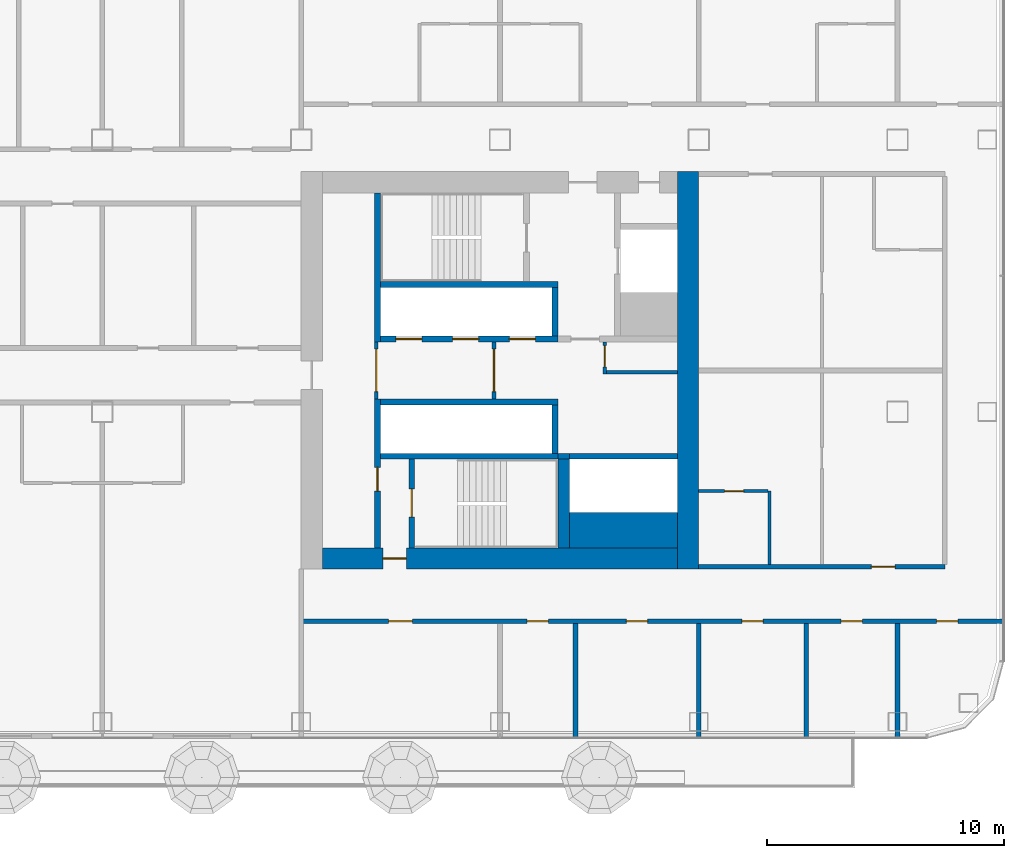
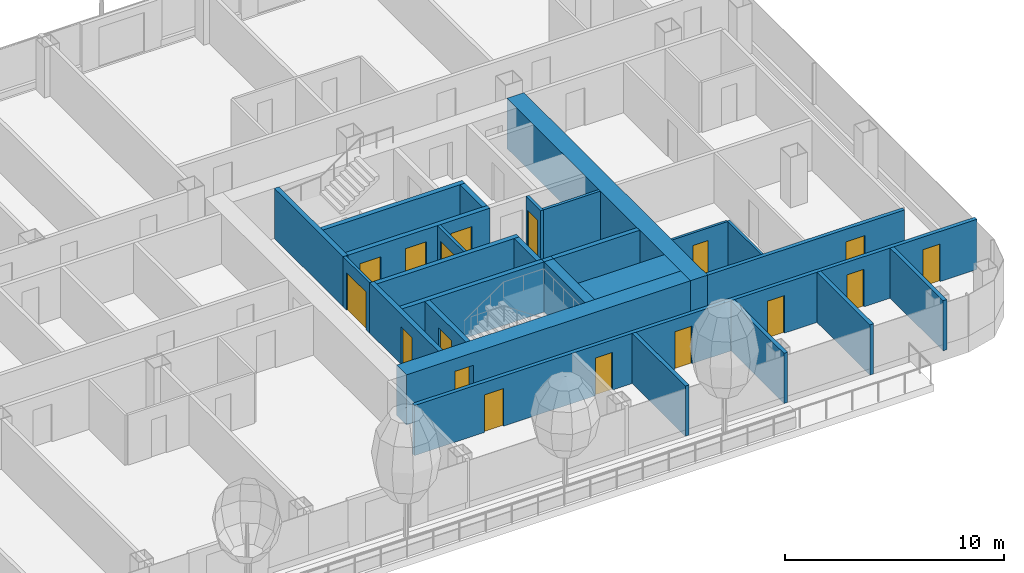
# One storey, part 17 of 34: 27 walls, 17 doors, 17 openings.
"""IFC4 building model written with IfcOpenShell, lengths in metres."""

from ifc_helpers import new_model, si_unit, direction, frame, frame_2d, origin, place, context, subcontext, project, spatial, rectangle, extrude, material, layer, layer_set, type_object, element, fill, save


model = new_model("IFC4")

# Units and contexts
model_context = context("Model", 3, precision=1e-05, world=origin(), true_north=direction((0.0, 1.0)))
body_context = subcontext(model_context, "Body", "Model", "MODEL_VIEW")
ifc_project = project(units=[si_unit("LENGTHUNIT", "METRE"), si_unit("AREAUNIT", "SQUARE_METRE"), si_unit("VOLUMEUNIT", "CUBIC_METRE"), si_unit("PLANEANGLEUNIT", "RADIAN"), si_unit("MASSUNIT", "GRAM", prefix="KILO")], contexts=[model_context])

# Site, building, storey
site_placement = place(None, origin())
site = spatial("IfcSite", under=ifc_project, at=site_placement, CompositionType="ELEMENT")
building_placement = place(site_placement, origin())
building = spatial("IfcBuilding", under=site, at=building_placement, Name="Hakoniwa Tower and Hamabe Station Hall", CompositionType="ELEMENT")
storey_placement = place(building_placement, frame((0.0, 0.0, 107.39990234375)))
storey = spatial("IfcBuildingStorey", under=building, at=storey_placement, Name="L30", CompositionType="ELEMENT", Elevation=107.39990234375)

# Wall, opening, door
ifc_material_1 = material(Name="Gypsum board partition", Category="gypsum")
ifc_layer_1 = layer(ifc_material_1, 0.125)
ifc_layer_set_1 = layer_set([ifc_layer_1], Name="Bathroom Partition 125")
wall_type_1 = type_object("IfcWallType", Name="Bathroom Partition 125", PredefinedType="PARTITIONING", material=ifc_layer_set_1)
wall_1_placement = place(storey_placement, frame((33.60009765625, -5.10009765625, 0.0), z_axis=(0.0, 0.0, 1.0), x_axis=(1.0, 0.0, 0.0)))
wall_1 = element("IfcWall", 1, at=wall_1_placement, inside=storey, type_object=wall_type_1, Name="GW-L30-006", PredefinedType="PARTITIONING", context=body_context, shape_type="SweptSolid", body=[
    extrude(rectangle(XDim=2.9375, YDim=0.125, at=frame_2d((1.46875, 0.0))), origin(), (0.0, 0.0, 1.0), 2.800048828125),
])
opening_1_placement = place(wall_1_placement, frame((1.10009765625, 0.0, 0.0)))
opening_1 = element("IfcOpeningElement", 2, at=opening_1_placement, cuts=wall_1, Name="Opening GD-G2A2-16", PredefinedType="OPENING", context=body_context, shape_type="SweptSolid", body=[
    extrude(rectangle(XDim=0.800048828125, YDim=2.10009765625, at=frame_2d((0.39990234375, 1.050048828125))), frame((0.0, 0.072509765625, 0.0), z_axis=(0.0, -1.0, 0.0), x_axis=(1.0, 0.0, 0.0)), (0.0, 0.0, 1.0), 0.14501953125),
])
ifc_material_2 = material(Name="Timber door leaf", Category="wood")
door_type_1 = type_object("IfcDoorType", Name="Bathroom Door 800", OperationType="SINGLE_SWING_LEFT", PredefinedType="DOOR", material=ifc_material_2)
door_1_placement = place(opening_1_placement, origin())
door_1 = element("IfcDoor", 3, at=door_1_placement, inside=storey, type_object=door_type_1, Name="Door GD-G2A2-16", OperationType="SINGLE_SWING_RIGHT", OverallHeight=2.10009765625, OverallWidth=0.800048828125, PredefinedType="DOOR", context=body_context, shape_type="SweptSolid", body=[
    extrude(rectangle(XDim=0.800048828125, YDim=2.10009765625, at=frame_2d((0.39990234375, 1.050048828125))), frame((0.0, 0.02490234375, 0.0), z_axis=(0.0, -1.0, 0.0), x_axis=(1.0, 0.0, 0.0)), (0.0, 0.0, 1.0), 0.050048828125),
])
fill(opening_1, door_1)

# Wall
wall_2_placement = place(storey_placement, frame((36.60009765625, -8.199951171875, 0.0), z_axis=(0.0, 0.0, 1.0), x_axis=(0.0, 1.0, 0.0)))
element("IfcWall", 4, at=wall_2_placement, inside=storey, type_object=wall_type_1, Name="GW-L30-071", PredefinedType="PARTITIONING", context=body_context, shape_type="SweptSolid", body=[
    extrude(rectangle(XDim=3.099853515625, YDim=0.125, at=frame_2d((1.5498046875, 0.0))), origin(), (0.0, 0.0, 1.0), 2.800048828125),
])

# Wall, opening, door
ifc_material_3 = material(Name="Gypsum board partition")
ifc_layer_2 = layer(ifc_material_3, 0.14990234375)
ifc_layer_set_2 = layer_set([ifc_layer_2], Name="CORE PARTITION 150 EI 60")
wall_type_2 = type_object("IfcWallType", Name="CORE PARTITION 150 EI 60", PredefinedType="PARTITIONING", material=ifc_layer_set_2)
wall_3_placement = place(storey_placement, frame((19.97509765625, -1.199951171875, 0.0), z_axis=(0.0, 0.0, 1.0), x_axis=(0.0, 1.0, 0.0)))
wall_3 = element("IfcWall", 5, at=wall_3_placement, inside=storey, type_object=wall_type_2, Name="Core partition PL0 east", PredefinedType="PARTITIONING", context=body_context, shape_type="SweptSolid", body=[
    extrude(rectangle(XDim=2.39990234375, YDim=0.14990234375, at=frame_2d((1.199951171875, 0.0))), origin(), (0.0, 0.0, 1.0), 2.800048828125),
])
opening_2_placement = place(wall_3_placement, frame((0.300048828125, 0.0, 0.0)))
opening_2 = element("IfcOpeningElement", 6, at=opening_2_placement, cuts=wall_3, Name="Opening CD-E-LP0-18", PredefinedType="OPENING", context=body_context, shape_type="SweptSolid", body=[
    extrude(rectangle(XDim=1.800048828125, YDim=2.10009765625, at=frame_2d((0.89990234375, 1.050048828125))), frame((0.0, 0.0849609375, 0.0), z_axis=(0.0, -1.0, 0.0), x_axis=(1.0, 0.0, 0.0)), (0.0, 0.0, 1.0), 0.169921875),
])
ifc_material_4 = material(Name="Steel fire door", Category="steel")
door_type_2 = type_object("IfcDoorType", Name="CORE DOOR 1800 FD60", OperationType="DOUBLE_DOOR_SINGLE_SWING", PredefinedType="DOOR", material=ifc_material_4)
door_2_placement = place(opening_2_placement, origin())
door_2 = element("IfcDoor", 7, at=door_2_placement, inside=storey, type_object=door_type_2, Name="Lift lobby partition door", OperationType="DOUBLE_DOOR_SINGLE_SWING", OverallHeight=2.10009765625, OverallWidth=1.800048828125, PredefinedType="DOOR", context=body_context, shape_type="SweptSolid", body=[
    extrude(rectangle(XDim=1.800048828125, YDim=2.10009765625, at=frame_2d((0.89990234375, 1.050048828125))), frame((0.0, 0.02490234375, 0.0), z_axis=(0.0, -1.0, 0.0), x_axis=(1.0, 0.0, 0.0)), (0.0, 0.0, 1.0), 0.050048828125),
])
fill(opening_2, door_2)

wall_4_placement = place(storey_placement, frame((24.949951171875, -1.199951171875, 0.0), z_axis=(0.0, 0.0, 1.0), x_axis=(0.0, 1.0, 0.0)))
wall_4 = element("IfcWall", 8, at=wall_4_placement, inside=storey, type_object=wall_type_2, Name="Core partition PL1 east", PredefinedType="PARTITIONING", context=body_context, shape_type="SweptSolid", body=[
    extrude(rectangle(XDim=2.39990234375, YDim=0.14990234375, at=frame_2d((1.199951171875, 0.0))), origin(), (0.0, 0.0, 1.0), 2.800048828125),
])
opening_3_placement = place(wall_4_placement, frame((0.300048828125, 0.0, 0.0)))
opening_3 = element("IfcOpeningElement", 9, at=opening_3_placement, cuts=wall_4, Name="Opening CD-E-LP1-18", PredefinedType="OPENING", context=body_context, shape_type="SweptSolid", body=[
    extrude(rectangle(XDim=1.800048828125, YDim=2.10009765625, at=frame_2d((0.89990234375, 1.050048828125))), frame((0.0, 0.0849609375, 0.0), z_axis=(0.0, -1.0, 0.0), x_axis=(1.0, 0.0, 0.0)), (0.0, 0.0, 1.0), 0.169921875),
])
door_3_placement = place(opening_3_placement, origin())
door_3 = element("IfcDoor", 10, at=door_3_placement, inside=storey, type_object=door_type_2, Name="Lift lobby partition door", OperationType="DOUBLE_DOOR_SINGLE_SWING", OverallHeight=2.10009765625, OverallWidth=1.800048828125, PredefinedType="DOOR", context=body_context, shape_type="SweptSolid", body=[
    extrude(rectangle(XDim=1.800048828125, YDim=2.10009765625, at=frame_2d((0.89990234375, 1.050048828125))), frame((0.0, 0.02490234375, 0.0), z_axis=(0.0, -1.0, 0.0), x_axis=(1.0, 0.0, 0.0)), (0.0, 0.0, 1.0), 0.050048828125),
])
fill(opening_3, door_3)

wall_5_placement = place(storey_placement, frame((29.625, -0.14990234375, 0.0), z_axis=(0.0, 0.0, 1.0), x_axis=(0.0, 1.0, 0.0)))
wall_5 = element("IfcWall", 11, at=wall_5_placement, inside=storey, type_object=wall_type_2, Name="Core partition PW0 east", PredefinedType="PARTITIONING", context=body_context, shape_type="SweptSolid", body=[
    extrude(rectangle(XDim=1.349853515625, YDim=0.14990234375, at=frame_2d((0.6748046875, 0.0))), origin(), (0.0, 0.0, 1.0), 2.800048828125),
])
opening_4_placement = place(wall_5_placement, frame((0.300048828125, 0.0, 0.0)))
opening_4 = element("IfcOpeningElement", 12, at=opening_4_placement, cuts=wall_5, Name="Opening CD-E-RM1-9", PredefinedType="OPENING", context=body_context, shape_type="SweptSolid", body=[
    extrude(rectangle(XDim=0.89990234375, YDim=2.10009765625, at=frame_2d((0.449951171875, 1.050048828125))), frame((0.0, 0.0849609375, 0.0), z_axis=(0.0, -1.0, 0.0), x_axis=(1.0, 0.0, 0.0)), (0.0, 0.0, 1.0), 0.169921875),
])
ifc_material_5 = material(Name="Steel fire door", Category="steel")
door_type_3 = type_object("IfcDoorType", Name="CORE DOOR 900 FD30", OperationType="NOTDEFINED", PredefinedType="DOOR", material=ifc_material_5)
door_4_placement = place(opening_4_placement, origin())
door_4 = element("IfcDoor", 13, at=door_4_placement, inside=storey, type_object=door_type_3, Name="Store room door", OperationType="SINGLE_SWING_RIGHT", OverallHeight=2.10009765625, OverallWidth=0.89990234375, PredefinedType="DOOR", context=body_context, shape_type="SweptSolid", body=[
    extrude(rectangle(XDim=0.89990234375, YDim=2.10009765625, at=frame_2d((0.449951171875, 1.050048828125))), frame((0.0, 0.02490234375, 0.0), z_axis=(0.0, -1.0, 0.0), x_axis=(1.0, 0.0, 0.0)), (0.0, 0.0, 1.0), 0.050048828125),
])
fill(opening_4, door_4)

# Walls
wall_6_placement = place(storey_placement, frame((29.699951171875, -0.074951171875, 0.0), z_axis=(0.0, 0.0, 1.0), x_axis=(1.0, 0.0, 0.0)))
element("IfcWall", 14, at=wall_6_placement, inside=storey, type_object=wall_type_2, Name="Core partition PS east", PredefinedType="PARTITIONING", context=body_context, shape_type="SweptSolid", body=[
    extrude(rectangle(XDim=3.0, YDim=0.14990234375, at=frame_2d((1.5, 0.0))), origin(), (0.0, 0.0, 1.0), 2.800048828125),
])
ifc_material_6 = material(Name="Concrete C72", Category="concrete")
ifc_layer_3 = layer(ifc_material_6, 0.89990234375)
ifc_layer_set_3 = layer_set([ifc_layer_3], Name="CORE WALL 900 C72")
wall_type_3 = type_object("IfcWallType", Name="CORE WALL 900 C72", PredefinedType="SHEAR", material=ifc_layer_set_3)
wall_7_placement = place(storey_placement, frame((33.14990234375, -8.39990234375, 0.0), z_axis=(0.0, 0.0, 1.0), x_axis=(0.0, 1.0, 0.0)))
element("IfcWall", 15, at=wall_7_placement, inside=storey, type_object=wall_type_3, Name="Core wall OUTER east", PredefinedType="SHEAR", context=body_context, shape_type="SweptSolid", body=[
    extrude(rectangle(XDim=16.7998046875, YDim=0.89990234375, at=frame_2d((8.39990234375, 0.0))), origin(), (0.0, 0.0, 1.0), 2.800048828125),
])

# Wall, opening, door
wall_8_placement = place(storey_placement, frame((17.699951171875, -7.949951171875, 0.0), z_axis=(0.0, 0.0, 1.0), x_axis=(1.0, 0.0, 0.0)))
wall_8 = element("IfcWall", 16, at=wall_8_placement, inside=storey, type_object=wall_type_3, Name="Core wall SOUTH east", PredefinedType="SHEAR", context=body_context, shape_type="SweptSolid", body=[
    extrude(rectangle(XDim=15.0, YDim=0.89990234375, at=frame_2d((7.5, 0.0))), origin(), (0.0, 0.0, 1.0), 2.800048828125),
])
opening_5_placement = place(wall_8_placement, frame((2.550048828125, 0.0, 0.0)))
opening_5 = element("IfcOpeningElement", 17, at=opening_5_placement, cuts=wall_8, Name="Opening CD-E-FS3-10", PredefinedType="OPENING", context=body_context, shape_type="SweptSolid", body=[
    extrude(rectangle(XDim=1.0, YDim=2.10009765625, at=frame_2d((0.5, 1.050048828125))), frame((0.0, 0.4599609375, 0.0), z_axis=(0.0, -1.0, 0.0), x_axis=(1.0, 0.0, 0.0)), (0.0, 0.0, 1.0), 0.919921875),
])
ifc_material_7 = material(Name="Steel fire door", Category="steel")
door_type_4 = type_object("IfcDoorType", Name="CORE DOOR 1000 FD60", OperationType="NOTDEFINED", PredefinedType="DOOR", material=ifc_material_7)
door_5_placement = place(opening_5_placement, origin())
door_5 = element("IfcDoor", 18, at=door_5_placement, inside=storey, type_object=door_type_4, Name="Stair vestibule door", OperationType="SINGLE_SWING_LEFT", OverallHeight=2.10009765625, OverallWidth=1.0, PredefinedType="DOOR", context=body_context, shape_type="SweptSolid", body=[
    extrude(rectangle(XDim=1.0, YDim=2.10009765625, at=frame_2d((0.5, 1.050048828125))), frame((0.0, 0.02490234375, 0.0), z_axis=(0.0, -1.0, 0.0), x_axis=(1.0, 0.0, 0.0)), (0.0, 0.0, 1.0), 0.050048828125),
])
fill(opening_5, door_5)

# Walls
ifc_material_8 = material(Name="Concrete C72", Category="concrete")
ifc_layer_4 = layer(ifc_material_8, 1.5)
ifc_layer_set_4 = layer_set([ifc_layer_4], Name="CORE WEB WALL 1500 C72")
wall_type_4 = type_object("IfcWallType", Name="CORE WEB WALL 1500 C72", PredefinedType="SHEAR", material=ifc_layer_set_4)
wall_9_placement = place(storey_placement, frame((28.14990234375, -6.75, 0.0), z_axis=(0.0, 0.0, 1.0), x_axis=(1.0, 0.0, 0.0)))
element("IfcWall", 19, at=wall_9_placement, inside=storey, type_object=wall_type_4, Name="Core wall SER east", PredefinedType="SHEAR", context=body_context, shape_type="SweptSolid", body=[
    extrude(rectangle(XDim=4.550048828125, YDim=1.5, at=frame_2d((2.27490234375, 0.0))), origin(), (0.0, 0.0, 1.0), 2.800048828125),
])
ifc_material_9 = material(Name="Concrete C72", Category="concrete")
ifc_layer_5 = layer(ifc_material_9, 0.25)
ifc_layer_set_5 = layer_set([ifc_layer_5], Name="CORE WEB WALL 250 C72")
wall_type_5 = type_object("IfcWallType", Name="CORE WEB WALL 250 C72", PredefinedType="SHEAR", material=ifc_layer_set_5)
wall_10_placement = place(storey_placement, frame((20.02490234375, 1.199951171875, 0.0), z_axis=(0.0, 0.0, 1.0), x_axis=(0.0, 1.0, 0.0)))
element("IfcWall", 20, at=wall_10_placement, inside=storey, type_object=wall_type_5, Name="Core wall W1N east", PredefinedType="SHEAR", context=body_context, shape_type="SweptSolid", body=[
    extrude(rectangle(XDim=6.300048828125, YDim=0.25, at=frame_2d((3.14990234375, 0.0))), origin(), (0.0, 0.0, 1.0), 2.800048828125),
])

# Wall, opening, door
wall_11_placement = place(storey_placement, frame((20.02490234375, -7.5, 0.0), z_axis=(0.0, 0.0, 1.0), x_axis=(0.0, 1.0, 0.0)))
wall_11 = element("IfcWall", 21, at=wall_11_placement, inside=storey, type_object=wall_type_5, Name="Core wall W1S east", PredefinedType="SHEAR", context=body_context, shape_type="SweptSolid", body=[
    extrude(rectangle(XDim=6.300048828125, YDim=0.25, at=frame_2d((3.14990234375, 0.0))), origin(), (0.0, 0.0, 1.0), 2.800048828125),
])
opening_6_placement = place(wall_11_placement, frame((2.39990234375, 0.0, 0.0)))
opening_6 = element("IfcOpeningElement", 22, at=opening_6_placement, cuts=wall_11, Name="Opening CD-E-VS-10", PredefinedType="OPENING", context=body_context, shape_type="SweptSolid", body=[
    extrude(rectangle(XDim=1.0, YDim=2.10009765625, at=frame_2d((0.5, 1.050048828125))), frame((0.0, 0.135009765625, 0.0), z_axis=(0.0, -1.0, 0.0), x_axis=(1.0, 0.0, 0.0)), (0.0, 0.0, 1.0), 0.27001953125),
])
door_6_placement = place(opening_6_placement, origin())
door_6 = element("IfcDoor", 23, at=door_6_placement, inside=storey, type_object=door_type_4, Name="Stair vestibule door", OperationType="SINGLE_SWING_RIGHT", OverallHeight=2.10009765625, OverallWidth=1.0, PredefinedType="DOOR", context=body_context, shape_type="SweptSolid", body=[
    extrude(rectangle(XDim=1.0, YDim=2.10009765625, at=frame_2d((0.5, 1.050048828125))), frame((0.0, 0.02490234375, 0.0), z_axis=(0.0, -1.0, 0.0), x_axis=(1.0, 0.0, 0.0)), (0.0, 0.0, 1.0), 0.050048828125),
])
fill(opening_6, door_6)

# Wall, openings, doors
wall_12_placement = place(storey_placement, frame((20.14990234375, 1.324951171875, 0.0), z_axis=(0.0, 0.0, 1.0), x_axis=(1.0, 0.0, 0.0)))
wall_12 = element("IfcWall", 24, at=wall_12_placement, inside=storey, type_object=wall_type_5, Name="Core wall NF east", PredefinedType="SHEAR", context=body_context, shape_type="SweptSolid", body=[
    extrude(rectangle(XDim=7.5, YDim=0.25, at=frame_2d((3.75, 0.0))), origin(), (0.0, 0.0, 1.0), 2.800048828125),
])
opening_7_placement = place(wall_12_placement, frame((0.64990234375, 0.0, 0.0)))
opening_7 = element("IfcOpeningElement", 25, at=opening_7_placement, cuts=wall_12, Name="Opening LD-LR4", PredefinedType="OPENING", context=body_context, shape_type="SweptSolid", body=[
    extrude(rectangle(XDim=1.10009765625, YDim=2.10009765625, at=frame_2d((0.550048828125, 1.050048828125))), frame((0.0, 0.135009765625, 0.0), z_axis=(0.0, -1.0, 0.0), x_axis=(1.0, 0.0, 0.0)), (0.0, 0.0, 1.0), 0.27001953125),
])
opening_8_placement = place(wall_12_placement, frame((3.050048828125, 0.0, 0.0)))
opening_8 = element("IfcOpeningElement", 26, at=opening_8_placement, cuts=wall_12, Name="Opening LD-LR5", PredefinedType="OPENING", context=body_context, shape_type="SweptSolid", body=[
    extrude(rectangle(XDim=1.10009765625, YDim=2.10009765625, at=frame_2d((0.550048828125, 1.050048828125))), frame((0.0, 0.135009765625, 0.0), z_axis=(0.0, -1.0, 0.0), x_axis=(1.0, 0.0, 0.0)), (0.0, 0.0, 1.0), 0.27001953125),
])
opening_9_placement = place(wall_12_placement, frame((5.449951171875, 0.0, 0.0)))
opening_9 = element("IfcOpeningElement", 27, at=opening_9_placement, cuts=wall_12, Name="Opening LD-LR6", PredefinedType="OPENING", context=body_context, shape_type="SweptSolid", body=[
    extrude(rectangle(XDim=1.10009765625, YDim=2.10009765625, at=frame_2d((0.550048828125, 1.050048828125))), frame((0.0, 0.135009765625, 0.0), z_axis=(0.0, -1.0, 0.0), x_axis=(1.0, 0.0, 0.0)), (0.0, 0.0, 1.0), 0.27001953125),
])
ifc_material_10 = material(Name="Stainless steel SUS304", Category="steel")
door_type_5 = type_object("IfcDoorType", Name="LIFT LANDING DOOR 1100 FD60", OperationType="DOUBLE_DOOR_SLIDING", PredefinedType="DOOR", material=ifc_material_10)
door_7_placement = place(opening_7_placement, origin())
door_7 = element("IfcDoor", 28, at=door_7_placement, inside=storey, type_object=door_type_5, Name="Lift landing door LR4 L30", OperationType="DOUBLE_DOOR_SLIDING", OverallHeight=2.10009765625, OverallWidth=1.10009765625, PredefinedType="DOOR", context=body_context, shape_type="SweptSolid", body=[
    extrude(rectangle(XDim=1.10009765625, YDim=2.10009765625, at=frame_2d((0.550048828125, 1.050048828125))), frame((0.0, 0.02490234375, 0.0), z_axis=(0.0, -1.0, 0.0), x_axis=(1.0, 0.0, 0.0)), (0.0, 0.0, 1.0), 0.050048828125),
])
fill(opening_7, door_7)
door_8_placement = place(opening_8_placement, origin())
door_8 = element("IfcDoor", 29, at=door_8_placement, inside=storey, type_object=door_type_5, Name="Lift landing door LR5 L30", OperationType="DOUBLE_DOOR_SLIDING", OverallHeight=2.10009765625, OverallWidth=1.10009765625, PredefinedType="DOOR", context=body_context, shape_type="SweptSolid", body=[
    extrude(rectangle(XDim=1.10009765625, YDim=2.10009765625, at=frame_2d((0.550048828125, 1.050048828125))), frame((0.0, 0.02490234375, 0.0), z_axis=(0.0, -1.0, 0.0), x_axis=(1.0, 0.0, 0.0)), (0.0, 0.0, 1.0), 0.050048828125),
])
fill(opening_8, door_8)
door_9_placement = place(opening_9_placement, origin())
door_9 = element("IfcDoor", 30, at=door_9_placement, inside=storey, type_object=door_type_5, Name="Lift landing door LR6 L30", OperationType="DOUBLE_DOOR_SLIDING", OverallHeight=2.10009765625, OverallWidth=1.10009765625, PredefinedType="DOOR", context=body_context, shape_type="SweptSolid", body=[
    extrude(rectangle(XDim=1.10009765625, YDim=2.10009765625, at=frame_2d((0.550048828125, 1.050048828125))), frame((0.0, 0.02490234375, 0.0), z_axis=(0.0, -1.0, 0.0), x_axis=(1.0, 0.0, 0.0)), (0.0, 0.0, 1.0), 0.050048828125),
])
fill(opening_9, door_9)

# Walls
wall_13_placement = place(storey_placement, frame((27.52490234375, 1.449951171875, 0.0), z_axis=(0.0, 0.0, 1.0), x_axis=(0.0, 1.0, 0.0)))
element("IfcWall", 31, at=wall_13_placement, inside=storey, type_object=wall_type_5, Name="Core wall NE east", PredefinedType="SHEAR", context=body_context, shape_type="SweptSolid", body=[
    extrude(rectangle(XDim=2.050048828125, YDim=0.25, at=frame_2d((1.02490234375, 0.0))), origin(), (0.0, 0.0, 1.0), 2.800048828125),
])
for number, where, z_axis, x_axis, name in (
    (32, (20.14990234375, 3.625, 0.0), (0.0, 0.0, 1.0), (1.0, 0.0, 0.0), "Core wall NR east"),
    (33, (20.14990234375, -1.324951171875, 0.0), (0.0, 0.0, 1.0), (1.0, 0.0, 0.0), "Core wall SF east"),
):
    element("IfcWall", number, at=place(storey_placement, frame(where, z_axis=z_axis, x_axis=x_axis)), inside=storey, type_object=wall_type_5, Name=name, PredefinedType="SHEAR", context=body_context, shape_type="SweptSolid", body=[
        extrude(rectangle(XDim=7.5, YDim=0.25, at=frame_2d((3.75, 0.0))), origin(), (0.0, 0.0, 1.0), 2.800048828125),
    ])
wall_14_placement = place(storey_placement, frame((27.52490234375, -3.5, 0.0), z_axis=(0.0, 0.0, 1.0), x_axis=(0.0, 1.0, 0.0)))
element("IfcWall", 34, at=wall_14_placement, inside=storey, type_object=wall_type_5, Name="Core wall SE east", PredefinedType="SHEAR", context=body_context, shape_type="SweptSolid", body=[
    extrude(rectangle(XDim=2.050048828125, YDim=0.25, at=frame_2d((1.02490234375, 0.0))), origin(), (0.0, 0.0, 1.0), 2.800048828125),
])
wall_15_placement = place(storey_placement, frame((20.14990234375, -3.625, 0.0), z_axis=(0.0, 0.0, 1.0), x_axis=(1.0, 0.0, 0.0)))
element("IfcWall", 35, at=wall_15_placement, inside=storey, type_object=wall_type_5, Name="Core wall SR east", PredefinedType="SHEAR", context=body_context, shape_type="SweptSolid", body=[
    extrude(rectangle(XDim=7.5, YDim=0.25, at=frame_2d((3.75, 0.0))), origin(), (0.0, 0.0, 1.0), 2.800048828125),
])

# Wall, opening, door
wall_16_placement = place(storey_placement, frame((21.47509765625, -7.5, 0.0), z_axis=(0.0, 0.0, 1.0), x_axis=(0.0, 1.0, 0.0)))
wall_16 = element("IfcWall", 36, at=wall_16_placement, inside=storey, type_object=wall_type_5, Name="Core wall VE east", PredefinedType="SHEAR", context=body_context, shape_type="SweptSolid", body=[
    extrude(rectangle(XDim=3.75, YDim=0.25, at=frame_2d((1.875, 0.0))), origin(), (0.0, 0.0, 1.0), 2.800048828125),
])
opening_10_placement = place(wall_16_placement, frame((1.300048828125, 0.0, 0.0)))
opening_10 = element("IfcOpeningElement", 37, at=opening_10_placement, cuts=wall_16, Name="Opening CD-E-SS-12", PredefinedType="OPENING", context=body_context, shape_type="SweptSolid", body=[
    extrude(rectangle(XDim=1.199951171875, YDim=2.10009765625, at=frame_2d((0.60009765625, 1.050048828125))), frame((0.0, 0.135009765625, 0.0), z_axis=(0.0, -1.0, 0.0), x_axis=(1.0, 0.0, 0.0)), (0.0, 0.0, 1.0), 0.27001953125),
])
ifc_material_11 = material(Name="Steel fire door", Category="steel")
door_type_6 = type_object("IfcDoorType", Name="CORE DOOR 1200 FD60", OperationType="DOUBLE_DOOR_SINGLE_SWING", PredefinedType="DOOR", material=ifc_material_11)
door_10_placement = place(opening_10_placement, origin())
door_10 = element("IfcDoor", 38, at=door_10_placement, inside=storey, type_object=door_type_6, Name="Escape stair door", OperationType="DOUBLE_DOOR_SINGLE_SWING", OverallHeight=2.10009765625, OverallWidth=1.199951171875, PredefinedType="DOOR", context=body_context, shape_type="SweptSolid", body=[
    extrude(rectangle(XDim=1.199951171875, YDim=2.10009765625, at=frame_2d((0.60009765625, 1.050048828125))), frame((0.0, 0.02490234375, 0.0), z_axis=(0.0, -1.0, 0.0), x_axis=(1.0, 0.0, 0.0)), (0.0, 0.0, 1.0), 0.050048828125),
])
fill(opening_10, door_10)

# Walls
wall_17_placement = place(storey_placement, frame((28.14990234375, -3.625, 0.0), z_axis=(0.0, 0.0, 1.0), x_axis=(1.0, 0.0, 0.0)))
element("IfcWall", 39, at=wall_17_placement, inside=storey, type_object=wall_type_5, Name="Core wall SEF east", PredefinedType="SHEAR", context=body_context, shape_type="SweptSolid", body=[
    extrude(rectangle(XDim=4.550048828125, YDim=0.25, at=frame_2d((2.27490234375, 0.0))), origin(), (0.0, 0.0, 1.0), 2.800048828125),
])
wall_18_placement = place(storey_placement, frame((27.64990234375, -3.625, 0.0), z_axis=(0.0, 0.0, 1.0), x_axis=(1.0, 0.0, 0.0)))
element("IfcWall", 40, at=wall_18_placement, inside=storey, type_object=wall_type_5, Name="Core wall SRK east", PredefinedType="SHEAR", context=body_context, shape_type="SweptSolid", body=[
    extrude(rectangle(XDim=0.5, YDim=0.25, at=frame_2d((0.25, 0.0))), origin(), (0.0, 0.0, 1.0), 2.800048828125),
])
ifc_material_12 = material(Name="Concrete C72", Category="concrete")
ifc_layer_6 = layer(ifc_material_12, 0.5)
ifc_layer_set_6 = layer_set([ifc_layer_6], Name="CORE WEB WALL 500 C72")
wall_type_6 = type_object("IfcWallType", Name="CORE WEB WALL 500 C72", PredefinedType="SHEAR", material=ifc_layer_set_6)
wall_19_placement = place(storey_placement, frame((27.89990234375, -7.5, 0.0), z_axis=(0.0, 0.0, 1.0), x_axis=(0.0, 1.0, 0.0)))
element("IfcWall", 41, at=wall_19_placement, inside=storey, type_object=wall_type_6, Name="Core wall SSE east", PredefinedType="SHEAR", context=body_context, shape_type="SweptSolid", body=[
    extrude(rectangle(XDim=3.75, YDim=0.5, at=frame_2d((1.875, 0.0))), origin(), (0.0, 0.0, 1.0), 2.800048828125),
])

# Wall, openings, doors
ifc_material_13 = material(Name="Fire-rated gypsum board partition", Category="gypsum")
ifc_layer_7 = layer(ifc_material_13, 0.199951171875)
ifc_layer_set_7 = layer_set([ifc_layer_7], Name="Corridor Wall 200")
wall_type_7 = type_object("IfcWallType", Name="Corridor Wall 200", PredefinedType="PARTITIONING", material=ifc_layer_set_7)
wall_20_placement = place(storey_placement, frame((16.800048828125, -10.60009765625, 0.0), z_axis=(0.0, 0.0, 1.0), x_axis=(1.0, 0.0, 0.0)))
wall_20 = element("IfcWall", 42, at=wall_20_placement, inside=storey, type_object=wall_type_7, Name="GW-L30-002", PredefinedType="PARTITIONING", context=body_context, shape_type="SweptSolid", body=[
    extrude(rectangle(XDim=29.699951171875, YDim=0.199951171875, at=frame_2d((14.85009765625, 0.0))), origin(), (0.0, 0.0, 1.0), 2.800048828125),
])
opening_11_placement = place(wall_20_placement, frame((3.699951171875, 0.0, 0.0)))
opening_11 = element("IfcOpeningElement", 43, at=opening_11_placement, cuts=wall_20, Name="Opening GD-G2A2-07", PredefinedType="OPENING", context=body_context, shape_type="SweptSolid", body=[
    extrude(rectangle(XDim=1.0, YDim=2.10009765625, at=frame_2d((0.5, 1.050048828125))), frame((0.0, 0.10986328125, 0.0), z_axis=(0.0, -1.0, 0.0), x_axis=(1.0, 0.0, 0.0)), (0.0, 0.0, 1.0), 0.219970703125),
])
opening_12_placement = place(wall_20_placement, frame((9.544921875, 0.0, 0.0)))
opening_12 = element("IfcOpeningElement", 44, at=opening_12_placement, cuts=wall_20, Name="Opening GD-G2A2-08", PredefinedType="OPENING", context=body_context, shape_type="SweptSolid", body=[
    extrude(rectangle(XDim=0.89990234375, YDim=2.10009765625, at=frame_2d((0.449951171875, 1.050048828125))), frame((0.0, 0.10986328125, 0.0), z_axis=(0.0, -1.0, 0.0), x_axis=(1.0, 0.0, 0.0)), (0.0, 0.0, 1.0), 0.219970703125),
])
opening_13_placement = place(wall_20_placement, frame((13.7451171875, 0.0, 0.0)))
opening_13 = element("IfcOpeningElement", 45, at=opening_13_placement, cuts=wall_20, Name="Opening GD-G2A2-09", PredefinedType="OPENING", context=body_context, shape_type="SweptSolid", body=[
    extrude(rectangle(XDim=0.89990234375, YDim=2.10009765625, at=frame_2d((0.449951171875, 1.050048828125))), frame((0.0, 0.10986328125, 0.0), z_axis=(0.0, -1.0, 0.0), x_axis=(1.0, 0.0, 0.0)), (0.0, 0.0, 1.0), 0.219970703125),
])
opening_14_placement = place(wall_20_placement, frame((18.6201171875, 0.0, 0.0)))
opening_14 = element("IfcOpeningElement", 46, at=opening_14_placement, cuts=wall_20, Name="Opening GD-G2A2-10", PredefinedType="OPENING", context=body_context, shape_type="SweptSolid", body=[
    extrude(rectangle(XDim=0.89990234375, YDim=2.10009765625, at=frame_2d((0.449951171875, 1.050048828125))), frame((0.0, 0.10986328125, 0.0), z_axis=(0.0, -1.0, 0.0), x_axis=(1.0, 0.0, 0.0)), (0.0, 0.0, 1.0), 0.219970703125),
])
opening_15_placement = place(wall_20_placement, frame((22.820068359375, 0.0, 0.0)))
opening_15 = element("IfcOpeningElement", 47, at=opening_15_placement, cuts=wall_20, Name="Opening GD-G2A2-11", PredefinedType="OPENING", context=body_context, shape_type="SweptSolid", body=[
    extrude(rectangle(XDim=0.89990234375, YDim=2.10009765625, at=frame_2d((0.449951171875, 1.050048828125))), frame((0.0, 0.10986328125, 0.0), z_axis=(0.0, -1.0, 0.0), x_axis=(1.0, 0.0, 0.0)), (0.0, 0.0, 1.0), 0.219970703125),
])
opening_16_placement = place(wall_20_placement, frame((26.85009765625, 0.0, 0.0)))
opening_16 = element("IfcOpeningElement", 48, at=opening_16_placement, cuts=wall_20, Name="Opening GD-G2A2-12", PredefinedType="OPENING", context=body_context, shape_type="SweptSolid", body=[
    extrude(rectangle(XDim=0.89990234375, YDim=2.10009765625, at=frame_2d((0.449951171875, 1.050048828125))), frame((0.0, 0.10986328125, 0.0), z_axis=(0.0, -1.0, 0.0), x_axis=(1.0, 0.0, 0.0)), (0.0, 0.0, 1.0), 0.219970703125),
])
ifc_material_14 = material(Name="Timber door leaf", Category="wood")
door_type_7 = type_object("IfcDoorType", Name="Guest Entrance Door 1000", OperationType="SINGLE_SWING_LEFT", PredefinedType="DOOR", material=ifc_material_14)
door_11_placement = place(opening_11_placement, origin())
door_11 = element("IfcDoor", 49, at=door_11_placement, inside=storey, type_object=door_type_7, Name="Door GD-G2A2-07", OperationType="SINGLE_SWING_LEFT", OverallHeight=2.10009765625, OverallWidth=1.0, PredefinedType="DOOR", context=body_context, shape_type="SweptSolid", body=[
    extrude(rectangle(XDim=1.0, YDim=2.10009765625, at=frame_2d((0.5, 1.050048828125))), frame((0.0, 0.02490234375, 0.0), z_axis=(0.0, -1.0, 0.0), x_axis=(1.0, 0.0, 0.0)), (0.0, 0.0, 1.0), 0.050048828125),
])
fill(opening_11, door_11)
ifc_material_15 = material(Name="Timber door leaf", Category="wood")
door_type_8 = type_object("IfcDoorType", Name="Service Door 900", OperationType="SINGLE_SWING_LEFT", PredefinedType="DOOR", material=ifc_material_15)
door_12_placement = place(opening_12_placement, origin())
door_12 = element("IfcDoor", 50, at=door_12_placement, inside=storey, type_object=door_type_8, Name="Door GD-G2A2-08", OperationType="SINGLE_SWING_RIGHT", OverallHeight=2.10009765625, OverallWidth=0.89990234375, PredefinedType="DOOR", context=body_context, shape_type="SweptSolid", body=[
    extrude(rectangle(XDim=0.89990234375, YDim=2.10009765625, at=frame_2d((0.449951171875, 1.050048828125))), frame((0.0, 0.02490234375, 0.0), z_axis=(0.0, -1.0, 0.0), x_axis=(1.0, 0.0, 0.0)), (0.0, 0.0, 1.0), 0.050048828125),
])
fill(opening_12, door_12)
door_13_placement = place(opening_13_placement, origin())
door_13 = element("IfcDoor", 51, at=door_13_placement, inside=storey, type_object=door_type_8, Name="Door GD-G2A2-09", OperationType="SINGLE_SWING_LEFT", OverallHeight=2.10009765625, OverallWidth=0.89990234375, PredefinedType="DOOR", context=body_context, shape_type="SweptSolid", body=[
    extrude(rectangle(XDim=0.89990234375, YDim=2.10009765625, at=frame_2d((0.449951171875, 1.050048828125))), frame((0.0, 0.02490234375, 0.0), z_axis=(0.0, -1.0, 0.0), x_axis=(1.0, 0.0, 0.0)), (0.0, 0.0, 1.0), 0.050048828125),
])
fill(opening_13, door_13)
door_14_placement = place(opening_14_placement, origin())
door_14 = element("IfcDoor", 52, at=door_14_placement, inside=storey, type_object=door_type_8, Name="Door GD-G2A2-10", OperationType="SINGLE_SWING_LEFT", OverallHeight=2.10009765625, OverallWidth=0.89990234375, PredefinedType="DOOR", context=body_context, shape_type="SweptSolid", body=[
    extrude(rectangle(XDim=0.89990234375, YDim=2.10009765625, at=frame_2d((0.449951171875, 1.050048828125))), frame((0.0, 0.02490234375, 0.0), z_axis=(0.0, -1.0, 0.0), x_axis=(1.0, 0.0, 0.0)), (0.0, 0.0, 1.0), 0.050048828125),
])
fill(opening_14, door_14)
door_15_placement = place(opening_15_placement, origin())
door_15 = element("IfcDoor", 53, at=door_15_placement, inside=storey, type_object=door_type_8, Name="Door GD-G2A2-11", OperationType="SINGLE_SWING_RIGHT", OverallHeight=2.10009765625, OverallWidth=0.89990234375, PredefinedType="DOOR", context=body_context, shape_type="SweptSolid", body=[
    extrude(rectangle(XDim=0.89990234375, YDim=2.10009765625, at=frame_2d((0.449951171875, 1.050048828125))), frame((0.0, 0.02490234375, 0.0), z_axis=(0.0, -1.0, 0.0), x_axis=(1.0, 0.0, 0.0)), (0.0, 0.0, 1.0), 0.050048828125),
])
fill(opening_15, door_15)
door_16_placement = place(opening_16_placement, origin())
door_16 = element("IfcDoor", 54, at=door_16_placement, inside=storey, type_object=door_type_8, Name="Door GD-G2A2-12", OperationType="SINGLE_SWING_LEFT", OverallHeight=2.10009765625, OverallWidth=0.89990234375, PredefinedType="DOOR", context=body_context, shape_type="SweptSolid", body=[
    extrude(rectangle(XDim=0.89990234375, YDim=2.10009765625, at=frame_2d((0.449951171875, 1.050048828125))), frame((0.0, 0.02490234375, 0.0), z_axis=(0.0, -1.0, 0.0), x_axis=(1.0, 0.0, 0.0)), (0.0, 0.0, 1.0), 0.050048828125),
])
fill(opening_16, door_16)

# Wall, opening, door
wall_21_placement = place(storey_placement, frame((33.60009765625, -8.300048828125, 0.0), z_axis=(0.0, 0.0, 1.0), x_axis=(1.0, 0.0, 0.0)))
wall_21 = element("IfcWall", 55, at=wall_21_placement, inside=storey, type_object=wall_type_7, Name="GW-L30-004", PredefinedType="PARTITIONING", context=body_context, shape_type="SweptSolid", body=[
    extrude(rectangle(XDim=10.39990234375, YDim=0.199951171875, at=frame_2d((5.199951171875, 0.0))), origin(), (0.0, 0.0, 1.0), 2.800048828125),
])
opening_17_placement = place(wall_21_placement, frame((7.300048828125, 0.0, 0.0)))
opening_17 = element("IfcOpeningElement", 56, at=opening_17_placement, cuts=wall_21, Name="Opening GD-G2A2-14", PredefinedType="OPENING", context=body_context, shape_type="SweptSolid", body=[
    extrude(rectangle(XDim=1.0, YDim=2.10009765625, at=frame_2d((0.5, 1.050048828125))), frame((0.0, 0.10986328125, 0.0), z_axis=(0.0, -1.0, 0.0), x_axis=(1.0, 0.0, 0.0)), (0.0, 0.0, 1.0), 0.219970703125),
])
door_17_placement = place(opening_17_placement, origin())
door_17 = element("IfcDoor", 57, at=door_17_placement, inside=storey, type_object=door_type_7, Name="Door GD-G2A2-14", OperationType="SINGLE_SWING_LEFT", OverallHeight=2.10009765625, OverallWidth=1.0, PredefinedType="DOOR", context=body_context, shape_type="SweptSolid", body=[
    extrude(rectangle(XDim=1.0, YDim=2.10009765625, at=frame_2d((0.5, 1.050048828125))), frame((0.0, 0.02490234375, 0.0), z_axis=(0.0, -1.0, 0.0), x_axis=(1.0, 0.0, 0.0)), (0.0, 0.0, 1.0), 0.050048828125),
])
fill(opening_17, door_17)

# Walls
ifc_material_16 = material(Name="Fire-rated gypsum board partition", Category="gypsum")
ifc_layer_8 = layer(ifc_material_16, 0.199951171875)
ifc_layer_set_8 = layer_set([ifc_layer_8], Name="Party Wall 200")
wall_type_8 = type_object("IfcWallType", Name="Party Wall 200", PredefinedType="PARTITIONING", material=ifc_layer_set_8)
for number, where, z_axis, x_axis, name in (
    (58, (28.389892578125, -15.550048828125, 0.0), (0.0, 0.0, 1.0), (0.0, 1.0, 0.0), "GW-L30-067"),
    (59, (33.60009765625, -15.550048828125, 0.0), (0.0, 0.0, 1.0), (0.0, 1.0, 0.0), "GW-L30-069"),
    (60, (38.139892578125, -15.550048828125, 0.0), (0.0, 0.0, 1.0), (0.0, 1.0, 0.0), "GW-L30-072"),
    (61, (42.0, -15.550048828125, 0.0), (0.0, 0.0, 1.0), (0.0, 1.0, 0.0), "GW-L30-076"),
):
    element("IfcWall", number, at=place(storey_placement, frame(where, z_axis=z_axis, x_axis=x_axis)), inside=storey, type_object=wall_type_8, Name=name, PredefinedType="PARTITIONING", context=body_context, shape_type="SweptSolid", body=[
        extrude(rectangle(XDim=4.85009765625, YDim=0.199951171875, at=frame_2d((2.425048828125, 0.0))), origin(), (0.0, 0.0, 1.0), 2.800048828125),
    ])

save(model, "model.ifc")
